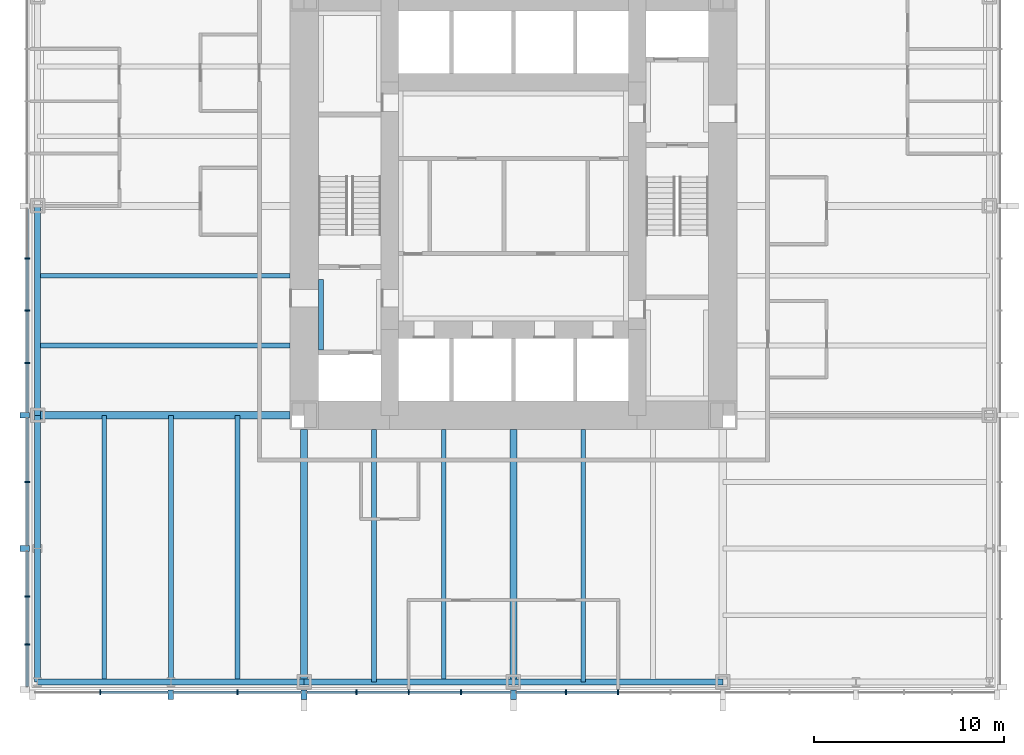
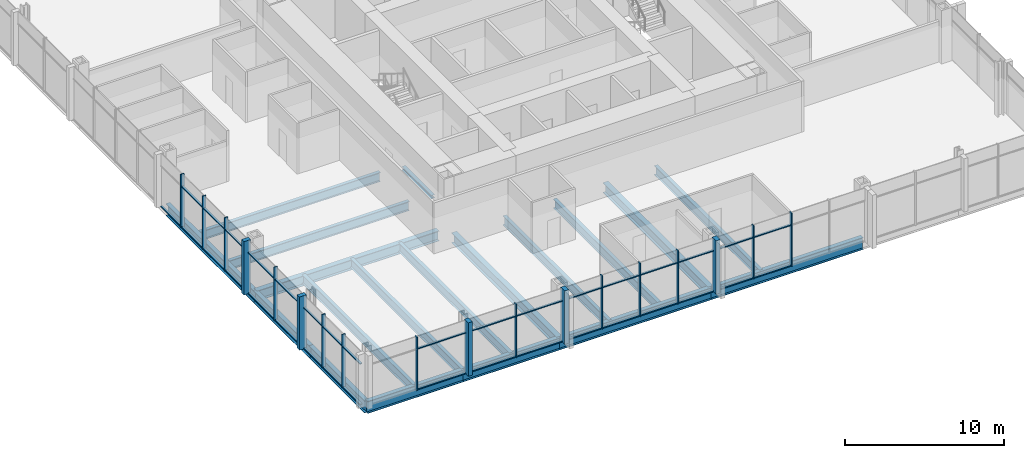
# One storey, part 2 of 12: 53 members, 19 beams, 2 elements without a shape of their own.
"""IFC4 building model written with IfcOpenShell, lengths in metres."""

from ifc_helpers import new_model, si_unit, direction, frame, origin, origin_2d, place, context, subcontext, project, spatial, rectangle, i_section, extrude, material, material_profile, profile_set, type_object, element, aggregate, save


model = new_model("IFC4")

# Units and contexts
model_context = context("Model", 3, precision=1e-05, world=origin(), true_north=direction((0.0, 1.0)))
body_context = subcontext(model_context, "Body", "Model", "MODEL_VIEW")
ifc_project = project(units=[si_unit("LENGTHUNIT", "METRE"), si_unit("AREAUNIT", "SQUARE_METRE"), si_unit("VOLUMEUNIT", "CUBIC_METRE"), si_unit("PLANEANGLEUNIT", "RADIAN"), si_unit("MASSUNIT", "GRAM", prefix="KILO")], contexts=[model_context])

# Site, building, storey
site_placement = place(None, origin())
site = spatial("IfcSite", under=ifc_project, at=site_placement, CompositionType="ELEMENT")
building_placement = place(site_placement, origin())
building = spatial("IfcBuilding", under=site, at=building_placement, Name="Trevanion Tower", CompositionType="ELEMENT")
storey_placement = place(building_placement, frame((0.0, 0.0, 57.0)))
storey = spatial("IfcBuildingStorey", under=building, at=storey_placement, Name="L13", CompositionType="ELEMENT", Elevation=57.0)

# Beams
ifc_material_1 = material(Name="Steel ASTM A992 Grade 50", Category="steel")
ifc_material_profile_1 = material_profile(ifc_material_1, i_section(OverallWidth=0.25390625, OverallDepth=0.700927734375, WebThickness=0.015380859375, FlangeThickness=0.02783203125, at=origin_2d()), Name="W27X129")
ifc_profile_set_1 = profile_set([ifc_material_profile_1], Name="Steel ASTM A992 Grade 50")
beam_type_1 = type_object("IfcBeamType", Name="B3 W27X129", PredefinedType="BEAM", material=ifc_profile_set_1)
for number, where, z_axis, x_axis, name in (
    (1, (-11.75, -3.666748046875, -0.54052734375), (-1.0, 0.0, 0.0), (0.0, -1.0, 0.0), "B3 L13"),
    (2, (-11.75, -7.333251953125, -0.54052734375), (-1.0, 0.0, 0.0), (0.0, -1.0, 0.0), "B3 L13"),
    (3, (-7.333251953125, -11.75, -0.54052734375), (0.0, -1.0, 0.0), (1.0, 0.0, 0.0), "B3 L13"),
    (4, (-3.666748046875, -11.75, -0.54052734375), (0.0, -1.0, 0.0), (1.0, 0.0, 0.0), "B3 L13"),
    (5, (3.666748046875, -11.75, -0.54052734375), (0.0, -1.0, 0.0), (1.0, 0.0, 0.0), "B3 L13"),
):
    element("IfcBeam", number, at=place(storey_placement, frame(where, z_axis=z_axis, x_axis=x_axis)), inside=storey, type_object=beam_type_1, Name=name, PredefinedType="BEAM", context=body_context, shape_type="SweptSolid", body=[
        extrude(i_section(OverallWidth=0.25390625, OverallDepth=0.700927734375, WebThickness=0.015380859375, FlangeThickness=0.02783203125, at=origin_2d()), origin(), (0.0, 0.0, 1.0), 13.25),
    ])
ifc_material_2 = material(Name="Steel ASTM A992 Grade 50", Category="steel")
ifc_material_profile_2 = material_profile(ifc_material_2, i_section(OverallWidth=0.256591796875, OverallDepth=0.693359375, WebThickness=0.014404296875, FlangeThickness=0.023681640625, at=origin_2d()), Name="W27X114")
ifc_profile_set_2 = profile_set([ifc_material_profile_2], Name="Steel ASTM A992 Grade 50")
beam_type_2 = type_object("IfcBeamType", Name="B4 W27X114", PredefinedType="BEAM", material=ifc_profile_set_2)
for number, where, z_axis, x_axis, name in (
    (6, (-14.5, -11.0, -0.53662109375), (0.0, -1.0, 0.0), (1.0, 0.0, 0.0), "B4 L13"),
    (7, (-18.0, -11.0, -0.53662109375), (0.0, -1.0, 0.0), (1.0, 0.0, 0.0), "B4 L13"),
    (8, (-21.5, -11.0, -0.53662109375), (0.0, -1.0, 0.0), (1.0, 0.0, 0.0), "B4 L13"),
):
    element("IfcBeam", number, at=place(storey_placement, frame(where, z_axis=z_axis, x_axis=x_axis)), inside=storey, type_object=beam_type_2, Name=name, PredefinedType="BEAM", context=body_context, shape_type="SweptSolid", body=[
        extrude(i_section(OverallWidth=0.256591796875, OverallDepth=0.693359375, WebThickness=0.014404296875, FlangeThickness=0.023681640625, at=origin_2d()), origin(), (0.0, 0.0, 1.0), 14.0),
    ])

# Curtain wall, members
ifc_material_3 = material(Name="Aluminium and glass", Category="aluminium")
curtain_wall_type = type_object("IfcCurtainWallType", Name="CW1 curtain wall", PredefinedType="USERDEFINED", material=ifc_material_3)
curtain_wall_1_placement = place(storey_placement, origin())
curtain_wall_1 = element("IfcCurtainWall", 9, at=curtain_wall_1_placement, inside=storey, type_object=curtain_wall_type, Name="CW1 L13 2", ObjectType="UNITISED CURTAIN WALL", PredefinedType="USERDEFINED")
ifc_material_4 = material(Name="Aluminium extrusion, anodised bronze", Category="aluminium")
ifc_material_profile_3 = material_profile(ifc_material_4, rectangle(XDim=0.074951171875, YDim=0.25, at=origin_2d()), Name="CW1 mullion")
ifc_profile_set_3 = profile_set([ifc_material_profile_3], Name="Aluminium extrusion, anodised bronze")
member_type_1 = type_object("IfcMemberType", Name="CW1 mullion", PredefinedType="MULLION", material=ifc_profile_set_3)
member_1_placement = place(storey_placement, frame((-25.550048828125, -2.75, -0.18994140625), z_axis=(0.0, 0.0, 1.0), x_axis=(0.0, -1.0, 0.0)))
member_1 = element("IfcMember", 10, at=member_1_placement, type_object=member_type_1, Name="CW1 mullion 10", PredefinedType="MULLION", context=body_context, shape_type="SweptSolid", body=[
    extrude(rectangle(XDim=0.074951171875, YDim=0.25, at=origin_2d()), origin(), (0.0, 0.0, 1.0), 4.099853515625),
])
member_2_placement = place(storey_placement, frame((-25.550048828125, -5.5, -0.18994140625), z_axis=(0.0, 0.0, 1.0), x_axis=(0.0, -1.0, 0.0)))
member_2 = element("IfcMember", 11, at=member_2_placement, type_object=member_type_1, Name="CW1 mullion 11", PredefinedType="MULLION", context=body_context, shape_type="SweptSolid", body=[
    extrude(rectangle(XDim=0.074951171875, YDim=0.25, at=origin_2d()), origin(), (0.0, 0.0, 1.0), 4.099853515625),
])
member_3_placement = place(storey_placement, frame((-25.550048828125, -8.25, -0.18994140625), z_axis=(0.0, 0.0, 1.0), x_axis=(0.0, -1.0, 0.0)))
member_3 = element("IfcMember", 12, at=member_3_placement, type_object=member_type_1, Name="CW1 mullion 12", PredefinedType="MULLION", context=body_context, shape_type="SweptSolid", body=[
    extrude(rectangle(XDim=0.074951171875, YDim=0.25, at=origin_2d()), origin(), (0.0, 0.0, 1.0), 4.099853515625),
])
member_4_placement = place(storey_placement, frame((-25.550048828125, -14.5, -0.18994140625), z_axis=(0.0, 0.0, 1.0), x_axis=(0.0, -1.0, 0.0)))
member_4 = element("IfcMember", 13, at=member_4_placement, type_object=member_type_1, Name="CW1 mullion 14", PredefinedType="MULLION", context=body_context, shape_type="SweptSolid", body=[
    extrude(rectangle(XDim=0.074951171875, YDim=0.25, at=origin_2d()), origin(), (0.0, 0.0, 1.0), 4.099853515625),
])
member_5_placement = place(storey_placement, frame((-25.550048828125, -20.5166015625, -0.18994140625), z_axis=(0.0, 0.0, 1.0), x_axis=(0.0, -1.0, 0.0)))
member_5 = element("IfcMember", 14, at=member_5_placement, type_object=member_type_1, Name="CW1 mullion 16", PredefinedType="MULLION", context=body_context, shape_type="SweptSolid", body=[
    extrude(rectangle(XDim=0.074951171875, YDim=0.25, at=origin_2d()), origin(), (0.0, 0.0, 1.0), 4.099853515625),
])
member_6_placement = place(storey_placement, frame((-25.550048828125, -23.033203125, -0.18994140625), z_axis=(0.0, 0.0, 1.0), x_axis=(0.0, -1.0, 0.0)))
member_6 = element("IfcMember", 15, at=member_6_placement, type_object=member_type_1, Name="CW1 mullion 17", PredefinedType="MULLION", context=body_context, shape_type="SweptSolid", body=[
    extrude(rectangle(XDim=0.074951171875, YDim=0.25, at=origin_2d()), origin(), (0.0, 0.0, 1.0), 4.099853515625),
])

curtain_wall_2_placement = place(storey_placement, origin())
curtain_wall_2 = element("IfcCurtainWall", 16, at=curtain_wall_2_placement, inside=storey, type_object=curtain_wall_type, Name="CW1 L13 3", ObjectType="UNITISED CURTAIN WALL", PredefinedType="USERDEFINED")
member_7_placement = place(storey_placement, frame((-21.7099609375, -25.550048828125, -0.18994140625), z_axis=(0.0, 0.0, 1.0), x_axis=(1.0, 0.0, 0.0)))
member_7 = element("IfcMember", 17, at=member_7_placement, type_object=member_type_1, Name="CW1 mullion 2", PredefinedType="MULLION", context=body_context, shape_type="SweptSolid", body=[
    extrude(rectangle(XDim=0.074951171875, YDim=0.25, at=origin_2d()), origin(), (0.0, 0.0, 1.0), 4.099853515625),
])
member_8_placement = place(storey_placement, frame((-14.5, -25.550048828125, -0.18994140625), z_axis=(0.0, 0.0, 1.0), x_axis=(1.0, 0.0, 0.0)))
member_8 = element("IfcMember", 18, at=member_8_placement, type_object=member_type_1, Name="CW1 mullion 4", PredefinedType="MULLION", context=body_context, shape_type="SweptSolid", body=[
    extrude(rectangle(XDim=0.074951171875, YDim=0.25, at=origin_2d()), origin(), (0.0, 0.0, 1.0), 4.099853515625),
])
member_9_placement = place(storey_placement, frame((-8.25, -25.550048828125, -0.18994140625), z_axis=(0.0, 0.0, 1.0), x_axis=(1.0, 0.0, 0.0)))
member_9 = element("IfcMember", 19, at=member_9_placement, type_object=member_type_1, Name="CW1 mullion 6", PredefinedType="MULLION", context=body_context, shape_type="SweptSolid", body=[
    extrude(rectangle(XDim=0.074951171875, YDim=0.25, at=origin_2d()), origin(), (0.0, 0.0, 1.0), 4.099853515625),
])
member_10_placement = place(storey_placement, frame((-5.5, -25.550048828125, -0.18994140625), z_axis=(0.0, 0.0, 1.0), x_axis=(1.0, 0.0, 0.0)))
member_10 = element("IfcMember", 20, at=member_10_placement, type_object=member_type_1, Name="CW1 mullion 7", PredefinedType="MULLION", context=body_context, shape_type="SweptSolid", body=[
    extrude(rectangle(XDim=0.074951171875, YDim=0.25, at=origin_2d()), origin(), (0.0, 0.0, 1.0), 4.099853515625),
])
member_11_placement = place(storey_placement, frame((-2.75, -25.550048828125, -0.18994140625), z_axis=(0.0, 0.0, 1.0), x_axis=(1.0, 0.0, 0.0)))
member_11 = element("IfcMember", 21, at=member_11_placement, type_object=member_type_1, Name="CW1 mullion 8", PredefinedType="MULLION", context=body_context, shape_type="SweptSolid", body=[
    extrude(rectangle(XDim=0.074951171875, YDim=0.25, at=origin_2d()), origin(), (0.0, 0.0, 1.0), 4.099853515625),
])
member_12_placement = place(storey_placement, frame((2.75, -25.550048828125, -0.18994140625), z_axis=(0.0, 0.0, 1.0), x_axis=(1.0, 0.0, 0.0)))
member_12 = element("IfcMember", 22, at=member_12_placement, type_object=member_type_1, Name="CW1 mullion 10", PredefinedType="MULLION", context=body_context, shape_type="SweptSolid", body=[
    extrude(rectangle(XDim=0.074951171875, YDim=0.25, at=origin_2d()), origin(), (0.0, 0.0, 1.0), 4.099853515625),
])
member_13_placement = place(storey_placement, frame((5.5, -25.550048828125, -0.18994140625), z_axis=(0.0, 0.0, 1.0), x_axis=(1.0, 0.0, 0.0)))
member_13 = element("IfcMember", 23, at=member_13_placement, type_object=member_type_1, Name="CW1 mullion 11", PredefinedType="MULLION", context=body_context, shape_type="SweptSolid", body=[
    extrude(rectangle(XDim=0.074951171875, YDim=0.25, at=origin_2d()), origin(), (0.0, 0.0, 1.0), 4.099853515625),
])

# Member
ifc_material_5 = material(Name="Aluminium extrusion, anodised bronze", Category="aluminium")
ifc_material_profile_4 = material_profile(ifc_material_5, rectangle(XDim=0.300048828125, YDim=0.5, at=origin_2d()), Name="CW1 pier mullion")
ifc_profile_set_4 = profile_set([ifc_material_profile_4], Name="Aluminium extrusion, anodised bronze")
member_type_2 = type_object("IfcMemberType", Name="CW1 pier mullion", PredefinedType="MULLION", material=ifc_profile_set_4)
member_14_placement = place(storey_placement, frame((-25.675048828125, -11.0, -0.18994140625), z_axis=(0.0, 0.0, 1.0), x_axis=(0.0, -1.0, 0.0)))
member_14 = element("IfcMember", 24, at=member_14_placement, type_object=member_type_2, Name="CW1 pier mullion 13", PredefinedType="MULLION", context=body_context, shape_type="SweptSolid", body=[
    extrude(rectangle(XDim=0.300048828125, YDim=0.5, at=origin_2d()), origin(), (0.0, 0.0, 1.0), 4.099853515625),
])

member_15_placement = place(storey_placement, frame((-25.675048828125, -18.0, -0.18994140625), z_axis=(0.0, 0.0, 1.0), x_axis=(0.0, -1.0, 0.0)))
member_15 = element("IfcMember", 25, at=member_15_placement, type_object=member_type_2, Name="CW1 pier mullion 15", PredefinedType="MULLION", context=body_context, shape_type="SweptSolid", body=[
    extrude(rectangle(XDim=0.300048828125, YDim=0.5, at=origin_2d()), origin(), (0.0, 0.0, 1.0), 4.099853515625),
])

member_16_placement = place(storey_placement, frame((-18.0, -25.675048828125, -0.18994140625), z_axis=(0.0, 0.0, 1.0), x_axis=(1.0, 0.0, 0.0)))
member_16 = element("IfcMember", 26, at=member_16_placement, type_object=member_type_2, Name="CW1 pier mullion 3", PredefinedType="MULLION", context=body_context, shape_type="SweptSolid", body=[
    extrude(rectangle(XDim=0.300048828125, YDim=0.5, at=origin_2d()), origin(), (0.0, 0.0, 1.0), 4.099853515625),
])

member_17_placement = place(storey_placement, frame((-11.0, -25.675048828125, -0.18994140625), z_axis=(0.0, 0.0, 1.0), x_axis=(1.0, 0.0, 0.0)))
member_17 = element("IfcMember", 27, at=member_17_placement, type_object=member_type_2, Name="CW1 pier mullion 5", PredefinedType="MULLION", context=body_context, shape_type="SweptSolid", body=[
    extrude(rectangle(XDim=0.300048828125, YDim=0.5, at=origin_2d()), origin(), (0.0, 0.0, 1.0), 4.099853515625),
])

member_18_placement = place(storey_placement, frame((0.0, -25.675048828125, -0.18994140625), z_axis=(0.0, 0.0, 1.0), x_axis=(1.0, 0.0, 0.0)))
member_18 = element("IfcMember", 28, at=member_18_placement, type_object=member_type_2, Name="CW1 pier mullion 9", PredefinedType="MULLION", context=body_context, shape_type="SweptSolid", body=[
    extrude(rectangle(XDim=0.300048828125, YDim=0.5, at=origin_2d()), origin(), (0.0, 0.0, 1.0), 4.099853515625),
])

ifc_material_6 = material(Name="Aluminium extrusion, anodised bronze", Category="aluminium")
ifc_material_profile_5 = material_profile(ifc_material_6, rectangle(XDim=0.14990234375, YDim=0.074951171875, at=origin_2d()), Name="CW1 transom")
ifc_profile_set_5 = profile_set([ifc_material_profile_5], Name="Aluminium extrusion, anodised bronze")
member_type_3 = type_object("IfcMemberType", Name="CW1 transom", PredefinedType="USERDEFINED", material=ifc_profile_set_5)
member_19_placement = place(storey_placement, frame((-25.550048828125, -0.14990234375, -0.152587890625), z_axis=(0.0, -1.0, 0.0), x_axis=(1.0, 0.0, 0.0)))
member_19 = element("IfcMember", 29, at=member_19_placement, type_object=member_type_3, Name="CW1 transom 9.1", ObjectType="TRANSOM", PredefinedType="USERDEFINED", context=body_context, shape_type="SweptSolid", body=[
    extrude(rectangle(XDim=0.14990234375, YDim=0.074951171875, at=origin_2d()), origin(), (0.0, 0.0, 1.0), 2.5625),
])

member_20_placement = place(storey_placement, frame((-25.550048828125, -2.78759765625, -0.152587890625), z_axis=(0.0, -1.0, 0.0), x_axis=(1.0, 0.0, 0.0)))
member_20 = element("IfcMember", 30, at=member_20_placement, type_object=member_type_3, Name="CW1 transom 10.1", ObjectType="TRANSOM", PredefinedType="USERDEFINED", context=body_context, shape_type="SweptSolid", body=[
    extrude(rectangle(XDim=0.14990234375, YDim=0.074951171875, at=origin_2d()), origin(), (0.0, 0.0, 1.0), 2.6748046875),
])

member_21_placement = place(storey_placement, frame((-25.550048828125, -2.78759765625, 2.9599609375), z_axis=(0.0, -1.0, 0.0), x_axis=(1.0, 0.0, 0.0)))
member_21 = element("IfcMember", 31, at=member_21_placement, type_object=member_type_3, Name="CW1 transom 10.2", ObjectType="TRANSOM", PredefinedType="USERDEFINED", context=body_context, shape_type="SweptSolid", body=[
    extrude(rectangle(XDim=0.14990234375, YDim=0.074951171875, at=origin_2d()), origin(), (0.0, 0.0, 1.0), 2.6748046875),
])

member_22_placement = place(storey_placement, frame((-25.550048828125, -5.53759765625, -0.152587890625), z_axis=(0.0, -1.0, 0.0), x_axis=(1.0, 0.0, 0.0)))
member_22 = element("IfcMember", 32, at=member_22_placement, type_object=member_type_3, Name="CW1 transom 11.1", ObjectType="TRANSOM", PredefinedType="USERDEFINED", context=body_context, shape_type="SweptSolid", body=[
    extrude(rectangle(XDim=0.14990234375, YDim=0.074951171875, at=origin_2d()), origin(), (0.0, 0.0, 1.0), 2.6748046875),
])

member_23_placement = place(storey_placement, frame((-25.550048828125, -5.53759765625, 2.9599609375), z_axis=(0.0, -1.0, 0.0), x_axis=(1.0, 0.0, 0.0)))
member_23 = element("IfcMember", 33, at=member_23_placement, type_object=member_type_3, Name="CW1 transom 11.2", ObjectType="TRANSOM", PredefinedType="USERDEFINED", context=body_context, shape_type="SweptSolid", body=[
    extrude(rectangle(XDim=0.14990234375, YDim=0.074951171875, at=origin_2d()), origin(), (0.0, 0.0, 1.0), 2.6748046875),
])

member_24_placement = place(storey_placement, frame((-25.550048828125, -8.28759765625, -0.152587890625), z_axis=(0.0, -1.0, 0.0), x_axis=(1.0, 0.0, 0.0)))
member_24 = element("IfcMember", 34, at=member_24_placement, type_object=member_type_3, Name="CW1 transom 12.1", ObjectType="TRANSOM", PredefinedType="USERDEFINED", context=body_context, shape_type="SweptSolid", body=[
    extrude(rectangle(XDim=0.14990234375, YDim=0.074951171875, at=origin_2d()), origin(), (0.0, 0.0, 1.0), 2.5625),
])

member_25_placement = place(storey_placement, frame((-25.550048828125, -8.28759765625, 2.9599609375), z_axis=(0.0, -1.0, 0.0), x_axis=(1.0, 0.0, 0.0)))
member_25 = element("IfcMember", 35, at=member_25_placement, type_object=member_type_3, Name="CW1 transom 12.2", ObjectType="TRANSOM", PredefinedType="USERDEFINED", context=body_context, shape_type="SweptSolid", body=[
    extrude(rectangle(XDim=0.14990234375, YDim=0.074951171875, at=origin_2d()), origin(), (0.0, 0.0, 1.0), 2.5625),
])

member_26_placement = place(storey_placement, frame((-25.550048828125, -11.14990234375, -0.152587890625), z_axis=(0.0, -1.0, 0.0), x_axis=(1.0, 0.0, 0.0)))
member_26 = element("IfcMember", 36, at=member_26_placement, type_object=member_type_3, Name="CW1 transom 13.1", ObjectType="TRANSOM", PredefinedType="USERDEFINED", context=body_context, shape_type="SweptSolid", body=[
    extrude(rectangle(XDim=0.14990234375, YDim=0.074951171875, at=origin_2d()), origin(), (0.0, 0.0, 1.0), 3.3125),
])

member_27_placement = place(storey_placement, frame((-25.550048828125, -11.14990234375, 2.9599609375), z_axis=(0.0, -1.0, 0.0), x_axis=(1.0, 0.0, 0.0)))
member_27 = element("IfcMember", 37, at=member_27_placement, type_object=member_type_3, Name="CW1 transom 13.2", ObjectType="TRANSOM", PredefinedType="USERDEFINED", context=body_context, shape_type="SweptSolid", body=[
    extrude(rectangle(XDim=0.14990234375, YDim=0.074951171875, at=origin_2d()), origin(), (0.0, 0.0, 1.0), 3.3125),
])

member_28_placement = place(storey_placement, frame((-25.550048828125, -14.53759765625, -0.152587890625), z_axis=(0.0, -1.0, 0.0), x_axis=(1.0, 0.0, 0.0)))
member_28 = element("IfcMember", 38, at=member_28_placement, type_object=member_type_3, Name="CW1 transom 14.1", ObjectType="TRANSOM", PredefinedType="USERDEFINED", context=body_context, shape_type="SweptSolid", body=[
    extrude(rectangle(XDim=0.14990234375, YDim=0.074951171875, at=origin_2d()), origin(), (0.0, 0.0, 1.0), 3.3125),
])

member_29_placement = place(storey_placement, frame((-25.550048828125, -14.53759765625, 2.9599609375), z_axis=(0.0, -1.0, 0.0), x_axis=(1.0, 0.0, 0.0)))
member_29 = element("IfcMember", 39, at=member_29_placement, type_object=member_type_3, Name="CW1 transom 14.2", ObjectType="TRANSOM", PredefinedType="USERDEFINED", context=body_context, shape_type="SweptSolid", body=[
    extrude(rectangle(XDim=0.14990234375, YDim=0.074951171875, at=origin_2d()), origin(), (0.0, 0.0, 1.0), 3.3125),
])

member_30_placement = place(storey_placement, frame((-25.550048828125, -18.14990234375, -0.152587890625), z_axis=(0.0, -1.0, 0.0), x_axis=(1.0, 0.0, 0.0)))
member_30 = element("IfcMember", 40, at=member_30_placement, type_object=member_type_3, Name="CW1 transom 15.1", ObjectType="TRANSOM", PredefinedType="USERDEFINED", context=body_context, shape_type="SweptSolid", body=[
    extrude(rectangle(XDim=0.14990234375, YDim=0.074951171875, at=origin_2d()), origin(), (0.0, 0.0, 1.0), 2.329345703125),
])

member_31_placement = place(storey_placement, frame((-25.550048828125, -18.14990234375, 2.9599609375), z_axis=(0.0, -1.0, 0.0), x_axis=(1.0, 0.0, 0.0)))
member_31 = element("IfcMember", 41, at=member_31_placement, type_object=member_type_3, Name="CW1 transom 15.2", ObjectType="TRANSOM", PredefinedType="USERDEFINED", context=body_context, shape_type="SweptSolid", body=[
    extrude(rectangle(XDim=0.14990234375, YDim=0.074951171875, at=origin_2d()), origin(), (0.0, 0.0, 1.0), 2.329345703125),
])

member_32_placement = place(storey_placement, frame((-25.550048828125, -20.55419921875, -0.152587890625), z_axis=(0.0, -1.0, 0.0), x_axis=(1.0, 0.0, 0.0)))
member_32 = element("IfcMember", 42, at=member_32_placement, type_object=member_type_3, Name="CW1 transom 16.1", ObjectType="TRANSOM", PredefinedType="USERDEFINED", context=body_context, shape_type="SweptSolid", body=[
    extrude(rectangle(XDim=0.14990234375, YDim=0.074951171875, at=origin_2d()), origin(), (0.0, 0.0, 1.0), 2.441650390625),
])

member_33_placement = place(storey_placement, frame((-25.550048828125, -20.55419921875, 2.9599609375), z_axis=(0.0, -1.0, 0.0), x_axis=(1.0, 0.0, 0.0)))
member_33 = element("IfcMember", 43, at=member_33_placement, type_object=member_type_3, Name="CW1 transom 16.2", ObjectType="TRANSOM", PredefinedType="USERDEFINED", context=body_context, shape_type="SweptSolid", body=[
    extrude(rectangle(XDim=0.14990234375, YDim=0.074951171875, at=origin_2d()), origin(), (0.0, 0.0, 1.0), 2.441650390625),
])

member_34_placement = place(storey_placement, frame((-25.550048828125, -23.07080078125, -0.152587890625), z_axis=(0.0, -1.0, 0.0), x_axis=(1.0, 0.0, 0.0)))
member_34 = element("IfcMember", 44, at=member_34_placement, type_object=member_type_3, Name="CW1 transom 17.1", ObjectType="TRANSOM", PredefinedType="USERDEFINED", context=body_context, shape_type="SweptSolid", body=[
    extrude(rectangle(XDim=0.14990234375, YDim=0.074951171875, at=origin_2d()), origin(), (0.0, 0.0, 1.0), 2.17919921875),
])

member_35_placement = place(storey_placement, frame((-25.550048828125, -23.07080078125, 2.9599609375), z_axis=(0.0, -1.0, 0.0), x_axis=(1.0, 0.0, 0.0)))
member_35 = element("IfcMember", 45, at=member_35_placement, type_object=member_type_3, Name="CW1 transom 17.2", ObjectType="TRANSOM", PredefinedType="USERDEFINED", context=body_context, shape_type="SweptSolid", body=[
    extrude(rectangle(XDim=0.14990234375, YDim=0.074951171875, at=origin_2d()), origin(), (0.0, 0.0, 1.0), 2.17919921875),
])

aggregate(curtain_wall_1, [member_1, member_2, member_3, member_14, member_4, member_15, member_5, member_6, member_19, member_20, member_21, member_22, member_23, member_24, member_25, member_26, member_27, member_28, member_29, member_30, member_31, member_32, member_33, member_34, member_35])

member_36_placement = place(storey_placement, frame((-21.672607421875, -25.550048828125, -0.152587890625), z_axis=(1.0, 0.0, 0.0), x_axis=(0.0, 1.0, 0.0)))
member_36 = element("IfcMember", 46, at=member_36_placement, type_object=member_type_3, Name="CW1 transom 2.1", ObjectType="TRANSOM", PredefinedType="USERDEFINED", context=body_context, shape_type="SweptSolid", body=[
    extrude(rectangle(XDim=0.14990234375, YDim=0.074951171875, at=origin_2d()), origin(), (0.0, 0.0, 1.0), 3.522705078125),
])

member_37_placement = place(storey_placement, frame((-21.672607421875, -25.550048828125, 2.9599609375), z_axis=(1.0, 0.0, 0.0), x_axis=(0.0, 1.0, 0.0)))
member_37 = element("IfcMember", 47, at=member_37_placement, type_object=member_type_3, Name="CW1 transom 2.2", ObjectType="TRANSOM", PredefinedType="USERDEFINED", context=body_context, shape_type="SweptSolid", body=[
    extrude(rectangle(XDim=0.14990234375, YDim=0.074951171875, at=origin_2d()), origin(), (0.0, 0.0, 1.0), 3.522705078125),
])

member_38_placement = place(storey_placement, frame((-17.85009765625, -25.550048828125, -0.152587890625), z_axis=(1.0, 0.0, 0.0), x_axis=(0.0, 1.0, 0.0)))
member_38 = element("IfcMember", 48, at=member_38_placement, type_object=member_type_3, Name="CW1 transom 3.1", ObjectType="TRANSOM", PredefinedType="USERDEFINED", context=body_context, shape_type="SweptSolid", body=[
    extrude(rectangle(XDim=0.14990234375, YDim=0.074951171875, at=origin_2d()), origin(), (0.0, 0.0, 1.0), 3.3125),
])

member_39_placement = place(storey_placement, frame((-17.85009765625, -25.550048828125, 2.9599609375), z_axis=(1.0, 0.0, 0.0), x_axis=(0.0, 1.0, 0.0)))
member_39 = element("IfcMember", 49, at=member_39_placement, type_object=member_type_3, Name="CW1 transom 3.2", ObjectType="TRANSOM", PredefinedType="USERDEFINED", context=body_context, shape_type="SweptSolid", body=[
    extrude(rectangle(XDim=0.14990234375, YDim=0.074951171875, at=origin_2d()), origin(), (0.0, 0.0, 1.0), 3.3125),
])

member_40_placement = place(storey_placement, frame((-14.46240234375, -25.550048828125, -0.152587890625), z_axis=(1.0, 0.0, 0.0), x_axis=(0.0, 1.0, 0.0)))
member_40 = element("IfcMember", 50, at=member_40_placement, type_object=member_type_3, Name="CW1 transom 4.1", ObjectType="TRANSOM", PredefinedType="USERDEFINED", context=body_context, shape_type="SweptSolid", body=[
    extrude(rectangle(XDim=0.14990234375, YDim=0.074951171875, at=origin_2d()), origin(), (0.0, 0.0, 1.0), 3.3125),
])

member_41_placement = place(storey_placement, frame((-14.46240234375, -25.550048828125, 2.9599609375), z_axis=(1.0, 0.0, 0.0), x_axis=(0.0, 1.0, 0.0)))
member_41 = element("IfcMember", 51, at=member_41_placement, type_object=member_type_3, Name="CW1 transom 4.2", ObjectType="TRANSOM", PredefinedType="USERDEFINED", context=body_context, shape_type="SweptSolid", body=[
    extrude(rectangle(XDim=0.14990234375, YDim=0.074951171875, at=origin_2d()), origin(), (0.0, 0.0, 1.0), 3.3125),
])

member_42_placement = place(storey_placement, frame((-10.85009765625, -25.550048828125, -0.152587890625), z_axis=(1.0, 0.0, 0.0), x_axis=(0.0, 1.0, 0.0)))
member_42 = element("IfcMember", 52, at=member_42_placement, type_object=member_type_3, Name="CW1 transom 5.1", ObjectType="TRANSOM", PredefinedType="USERDEFINED", context=body_context, shape_type="SweptSolid", body=[
    extrude(rectangle(XDim=0.14990234375, YDim=0.074951171875, at=origin_2d()), origin(), (0.0, 0.0, 1.0), 2.5625),
])

member_43_placement = place(storey_placement, frame((-10.85009765625, -25.550048828125, 2.9599609375), z_axis=(1.0, 0.0, 0.0), x_axis=(0.0, 1.0, 0.0)))
member_43 = element("IfcMember", 53, at=member_43_placement, type_object=member_type_3, Name="CW1 transom 5.2", ObjectType="TRANSOM", PredefinedType="USERDEFINED", context=body_context, shape_type="SweptSolid", body=[
    extrude(rectangle(XDim=0.14990234375, YDim=0.074951171875, at=origin_2d()), origin(), (0.0, 0.0, 1.0), 2.5625),
])

member_44_placement = place(storey_placement, frame((-8.21240234375, -25.550048828125, -0.152587890625), z_axis=(1.0, 0.0, 0.0), x_axis=(0.0, 1.0, 0.0)))
member_44 = element("IfcMember", 54, at=member_44_placement, type_object=member_type_3, Name="CW1 transom 6.1", ObjectType="TRANSOM", PredefinedType="USERDEFINED", context=body_context, shape_type="SweptSolid", body=[
    extrude(rectangle(XDim=0.14990234375, YDim=0.074951171875, at=origin_2d()), origin(), (0.0, 0.0, 1.0), 2.6748046875),
])

member_45_placement = place(storey_placement, frame((-8.21240234375, -25.550048828125, 2.9599609375), z_axis=(1.0, 0.0, 0.0), x_axis=(0.0, 1.0, 0.0)))
member_45 = element("IfcMember", 55, at=member_45_placement, type_object=member_type_3, Name="CW1 transom 6.2", ObjectType="TRANSOM", PredefinedType="USERDEFINED", context=body_context, shape_type="SweptSolid", body=[
    extrude(rectangle(XDim=0.14990234375, YDim=0.074951171875, at=origin_2d()), origin(), (0.0, 0.0, 1.0), 2.6748046875),
])

member_46_placement = place(storey_placement, frame((-5.46240234375, -25.550048828125, -0.152587890625), z_axis=(1.0, 0.0, 0.0), x_axis=(0.0, 1.0, 0.0)))
member_46 = element("IfcMember", 56, at=member_46_placement, type_object=member_type_3, Name="CW1 transom 7.1", ObjectType="TRANSOM", PredefinedType="USERDEFINED", context=body_context, shape_type="SweptSolid", body=[
    extrude(rectangle(XDim=0.14990234375, YDim=0.074951171875, at=origin_2d()), origin(), (0.0, 0.0, 1.0), 2.6748046875),
])

member_47_placement = place(storey_placement, frame((-5.46240234375, -25.550048828125, 2.9599609375), z_axis=(1.0, 0.0, 0.0), x_axis=(0.0, 1.0, 0.0)))
member_47 = element("IfcMember", 57, at=member_47_placement, type_object=member_type_3, Name="CW1 transom 7.2", ObjectType="TRANSOM", PredefinedType="USERDEFINED", context=body_context, shape_type="SweptSolid", body=[
    extrude(rectangle(XDim=0.14990234375, YDim=0.074951171875, at=origin_2d()), origin(), (0.0, 0.0, 1.0), 2.6748046875),
])

member_48_placement = place(storey_placement, frame((-2.71240234375, -25.550048828125, -0.152587890625), z_axis=(1.0, 0.0, 0.0), x_axis=(0.0, 1.0, 0.0)))
member_48 = element("IfcMember", 58, at=member_48_placement, type_object=member_type_3, Name="CW1 transom 8.1", ObjectType="TRANSOM", PredefinedType="USERDEFINED", context=body_context, shape_type="SweptSolid", body=[
    extrude(rectangle(XDim=0.14990234375, YDim=0.074951171875, at=origin_2d()), origin(), (0.0, 0.0, 1.0), 2.5625),
])

member_49_placement = place(storey_placement, frame((-2.71240234375, -25.550048828125, 2.9599609375), z_axis=(1.0, 0.0, 0.0), x_axis=(0.0, 1.0, 0.0)))
member_49 = element("IfcMember", 59, at=member_49_placement, type_object=member_type_3, Name="CW1 transom 8.2", ObjectType="TRANSOM", PredefinedType="USERDEFINED", context=body_context, shape_type="SweptSolid", body=[
    extrude(rectangle(XDim=0.14990234375, YDim=0.074951171875, at=origin_2d()), origin(), (0.0, 0.0, 1.0), 2.5625),
])

member_50_placement = place(storey_placement, frame((0.14990234375, -25.550048828125, -0.152587890625), z_axis=(1.0, 0.0, 0.0), x_axis=(0.0, 1.0, 0.0)))
member_50 = element("IfcMember", 60, at=member_50_placement, type_object=member_type_3, Name="CW1 transom 9.1", ObjectType="TRANSOM", PredefinedType="USERDEFINED", context=body_context, shape_type="SweptSolid", body=[
    extrude(rectangle(XDim=0.14990234375, YDim=0.074951171875, at=origin_2d()), origin(), (0.0, 0.0, 1.0), 2.5625),
])

member_51_placement = place(storey_placement, frame((0.14990234375, -25.550048828125, 2.9599609375), z_axis=(1.0, 0.0, 0.0), x_axis=(0.0, 1.0, 0.0)))
member_51 = element("IfcMember", 61, at=member_51_placement, type_object=member_type_3, Name="CW1 transom 9.2", ObjectType="TRANSOM", PredefinedType="USERDEFINED", context=body_context, shape_type="SweptSolid", body=[
    extrude(rectangle(XDim=0.14990234375, YDim=0.074951171875, at=origin_2d()), origin(), (0.0, 0.0, 1.0), 2.5625),
])

member_52_placement = place(storey_placement, frame((2.78759765625, -25.550048828125, -0.152587890625), z_axis=(1.0, 0.0, 0.0), x_axis=(0.0, 1.0, 0.0)))
member_52 = element("IfcMember", 62, at=member_52_placement, type_object=member_type_3, Name="CW1 transom 10.1", ObjectType="TRANSOM", PredefinedType="USERDEFINED", context=body_context, shape_type="SweptSolid", body=[
    extrude(rectangle(XDim=0.14990234375, YDim=0.074951171875, at=origin_2d()), origin(), (0.0, 0.0, 1.0), 2.6748046875),
])

member_53_placement = place(storey_placement, frame((2.78759765625, -25.550048828125, 2.9599609375), z_axis=(1.0, 0.0, 0.0), x_axis=(0.0, 1.0, 0.0)))
member_53 = element("IfcMember", 63, at=member_53_placement, type_object=member_type_3, Name="CW1 transom 10.2", ObjectType="TRANSOM", PredefinedType="USERDEFINED", context=body_context, shape_type="SweptSolid", body=[
    extrude(rectangle(XDim=0.14990234375, YDim=0.074951171875, at=origin_2d()), origin(), (0.0, 0.0, 1.0), 2.6748046875),
])

aggregate(curtain_wall_2, [member_7, member_16, member_8, member_17, member_9, member_10, member_11, member_18, member_12, member_13, member_36, member_37, member_38, member_39, member_40, member_41, member_42, member_43, member_44, member_45, member_46, member_47, member_48, member_49, member_50, member_51, member_52, member_53])

# Beams
ifc_material_7 = material(Name="Steel ASTM A992 Grade 50", Category="steel")
ifc_material_profile_6 = material_profile(ifc_material_7, i_section(OverallWidth=0.381103515625, OverallDepth=0.77978515625, WebThickness=0.01806640625, FlangeThickness=0.0302734375, at=origin_2d()), Name="W30X191")
ifc_profile_set_6 = profile_set([ifc_material_profile_6], Name="Steel ASTM A992 Grade 50")
beam_type_3 = type_object("IfcBeamType", Name="G2 W30X191", PredefinedType="BEAM", material=ifc_profile_set_6)
for number, where, z_axis, x_axis, name in (
    (64, (-11.75, -11.0, -0.579833984375), (-1.0, 0.0, 0.0), (0.0, -1.0, 0.0), "G2 L13"),
    (65, (-11.0, -11.75, -0.579833984375), (0.0, -1.0, 0.0), (1.0, 0.0, 0.0), "G2 L13"),
    (66, (0.0, -11.75, -0.579833984375), (0.0, -1.0, 0.0), (1.0, 0.0, 0.0), "G2 L13"),
):
    element("IfcBeam", number, at=place(storey_placement, frame(where, z_axis=z_axis, x_axis=x_axis)), inside=storey, type_object=beam_type_3, Name=name, PredefinedType="BEAM", context=body_context, shape_type="SweptSolid", body=[
        extrude(i_section(OverallWidth=0.381103515625, OverallDepth=0.77978515625, WebThickness=0.01806640625, FlangeThickness=0.0302734375, at=origin_2d()), origin(), (0.0, 0.0, 1.0), 13.25),
    ])
ifc_material_8 = material(Name="Steel ASTM A992 Grade 50", Category="steel")
ifc_material_profile_7 = material_profile(ifc_material_8, i_section(OverallWidth=0.256591796875, OverallDepth=0.26416015625, WebThickness=0.011962890625, FlangeThickness=0.01953125, at=origin_2d()), Name="W10X68")
ifc_profile_set_7 = profile_set([ifc_material_profile_7], Name="Steel ASTM A992 Grade 50")
beam_type_4 = type_object("IfcBeamType", Name="LB1 W10X68", PredefinedType="BEAM", material=ifc_profile_set_7)
beam_1_placement = place(storey_placement, frame((-10.12158203125, -7.574951171875, -0.33203125), z_axis=(0.0, 1.0, 0.0), x_axis=(-1.0, 0.0, 0.0)))
element("IfcBeam", 67, at=beam_1_placement, inside=storey, type_object=beam_type_4, Name="LB1 L13", PredefinedType="BEAM", context=body_context, shape_type="SweptSolid", body=[
    extrude(i_section(OverallWidth=0.256591796875, OverallDepth=0.26416015625, WebThickness=0.011962890625, FlangeThickness=0.01953125, at=origin_2d()), origin(), (0.0, 0.0, 1.0), 3.699951171875),
])
ifc_material_9 = material(Name="Steel ASTM A992 Grade 50", Category="steel")
ifc_material_profile_8 = material_profile(ifc_material_9, i_section(OverallWidth=0.307373046875, OverallDepth=0.927001953125, WebThickness=0.01953125, FlangeThickness=0.031982421875, at=origin_2d()), Name="W36X194")
ifc_profile_set_8 = profile_set([ifc_material_profile_8], Name="Steel ASTM A992 Grade 50")
beam_type_5 = type_object("IfcBeamType", Name="SB2 W36X194", PredefinedType="SPANDREL", material=ifc_profile_set_8)
beam_2_placement = place(storey_placement, frame((-25.0, 0.0, -0.653564453125), z_axis=(0.0, -1.0, 0.0), x_axis=(1.0, 0.0, 0.0)))
element("IfcBeam", 68, at=beam_2_placement, inside=storey, type_object=beam_type_5, Name="SB2 L13", PredefinedType="SPANDREL", context=body_context, shape_type="SweptSolid", body=[
    extrude(i_section(OverallWidth=0.307373046875, OverallDepth=0.927001953125, WebThickness=0.01953125, FlangeThickness=0.031982421875, at=origin_2d()), origin(), (0.0, 0.0, 1.0), 11.0),
])
for number, where, z_axis, x_axis, name in (
    (69, (-25.0, -11.0, -0.653564453125), (0.0, -1.0, 0.0), (1.0, 0.0, 0.0), "SB2 L13"),
    (70, (-25.0, -18.0, -0.653564453125), (0.0, -1.0, 0.0), (1.0, 0.0, 0.0), "SB2 L13"),
    (71, (-25.0, -25.0, -0.653564453125), (1.0, 0.0, 0.0), (0.0, 1.0, 0.0), "SB2 L13"),
    (72, (-18.0, -25.0, -0.653564453125), (1.0, 0.0, 0.0), (0.0, 1.0, 0.0), "SB2 L13"),
):
    element("IfcBeam", number, at=place(storey_placement, frame(where, z_axis=z_axis, x_axis=x_axis)), inside=storey, type_object=beam_type_5, Name=name, PredefinedType="SPANDREL", context=body_context, shape_type="SweptSolid", body=[
        extrude(i_section(OverallWidth=0.307373046875, OverallDepth=0.927001953125, WebThickness=0.01953125, FlangeThickness=0.031982421875, at=origin_2d()), origin(), (0.0, 0.0, 1.0), 7.0),
    ])
for number, where, z_axis, x_axis, name in (
    (73, (-11.0, -25.0, -0.653564453125), (1.0, 0.0, 0.0), (0.0, 1.0, 0.0), "SB2 L13"),
    (74, (0.0, -25.0, -0.653564453125), (1.0, 0.0, 0.0), (0.0, 1.0, 0.0), "SB2 L13"),
):
    element("IfcBeam", number, at=place(storey_placement, frame(where, z_axis=z_axis, x_axis=x_axis)), inside=storey, type_object=beam_type_5, Name=name, PredefinedType="SPANDREL", context=body_context, shape_type="SweptSolid", body=[
        extrude(i_section(OverallWidth=0.307373046875, OverallDepth=0.927001953125, WebThickness=0.01953125, FlangeThickness=0.031982421875, at=origin_2d()), origin(), (0.0, 0.0, 1.0), 11.0),
    ])

save(model, "model.ifc")
